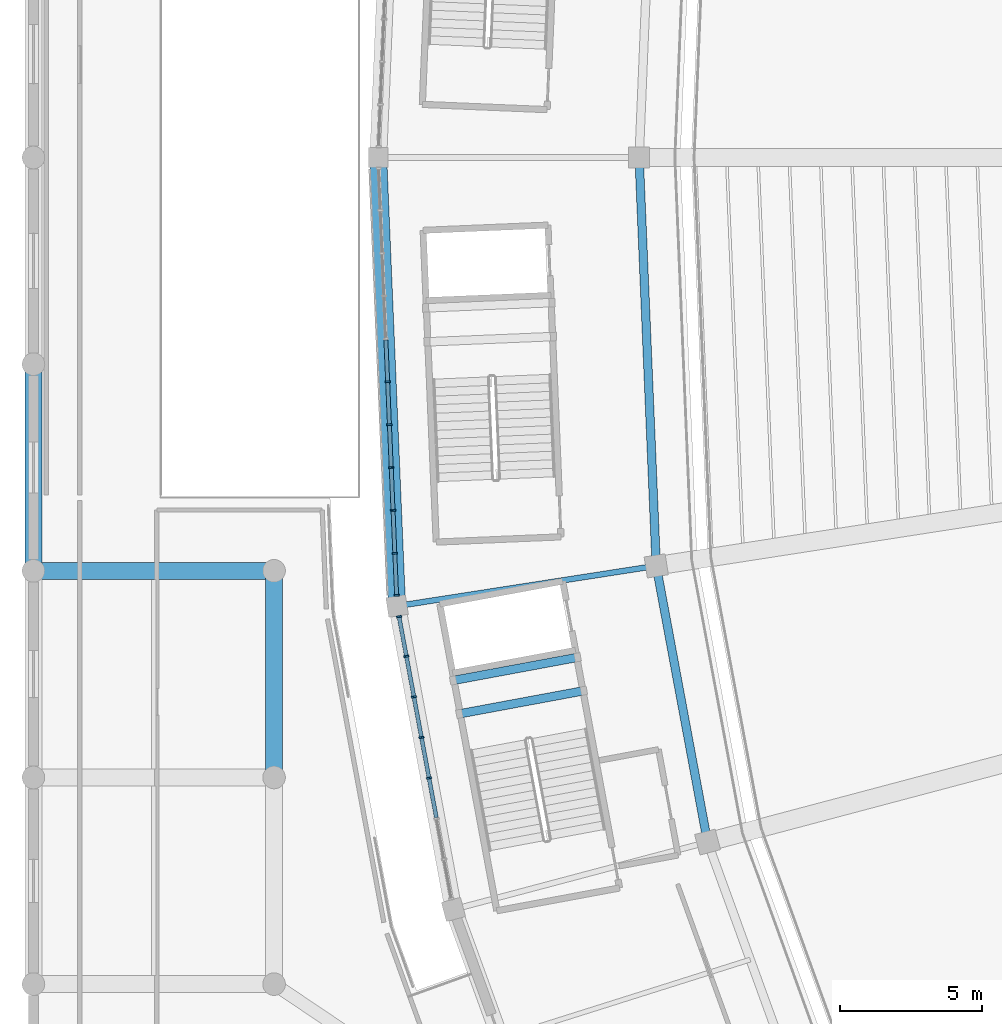
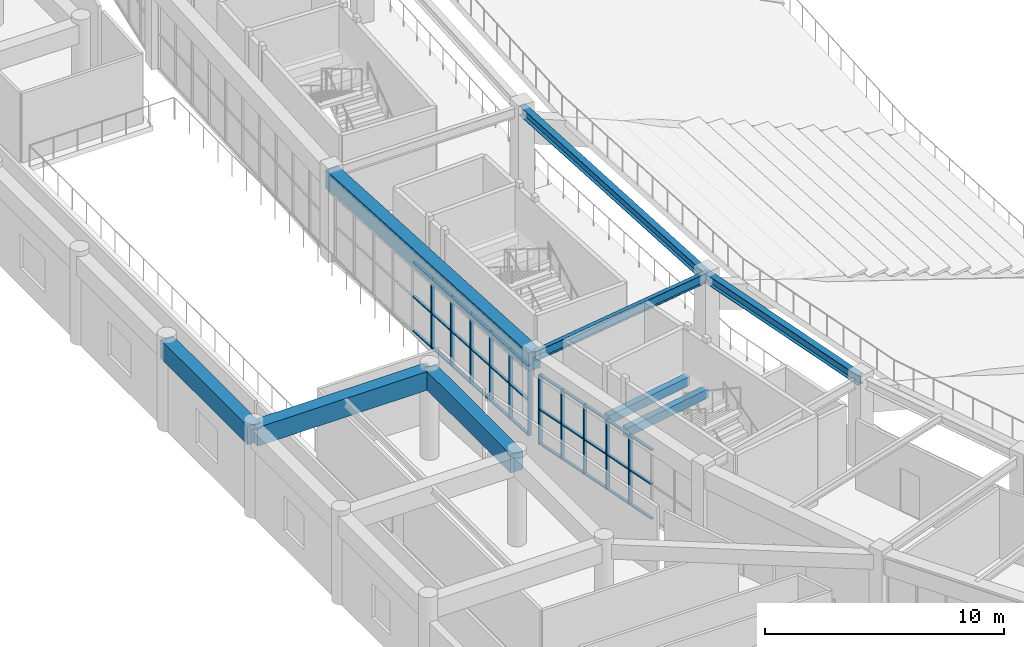
# One storey, part 24 of 137: 44 members, 9 beams, 2 elements without a shape of their own.
"""IFC4 building model written with IfcOpenShell, lengths in metres."""

from ifc_helpers import new_model, si_unit, direction, frame, origin, origin_2d, place, context, subcontext, project, spatial, rectangle, i_section, extrude, material, layer, layer_set, material_profile, profile_set, type_object, element, aggregate, save


model = new_model("IFC4")

# Units and contexts
model_context = context("Model", 3, precision=1e-05, world=origin(), true_north=direction((0.0, 1.0)))
body_context = subcontext(model_context, "Body", "Model", "MODEL_VIEW")
ifc_project = project(units=[si_unit("LENGTHUNIT", "METRE"), si_unit("AREAUNIT", "SQUARE_METRE"), si_unit("VOLUMEUNIT", "CUBIC_METRE"), si_unit("PLANEANGLEUNIT", "RADIAN"), si_unit("MASSUNIT", "GRAM", prefix="KILO")], contexts=[model_context])

# Site, building, storey
site_placement = place(None, origin())
site = spatial("IfcSite", under=ifc_project, at=site_placement, CompositionType="ELEMENT")
building_placement = place(site_placement, origin())
building = spatial("IfcBuilding", under=site, at=building_placement, Name="Mphavela Belvedere Stadium", CompositionType="ELEMENT")
storey_placement = place(building_placement, frame((0.0, 0.0, 19.199951171875)))
storey = spatial("IfcBuildingStorey", under=building, at=storey_placement, Name="L04", CompositionType="ELEMENT", Elevation=19.199951171875)

# Beams
ifc_material_1 = material(Name="Concrete C40/50", Category="concrete")
ifc_material_profile_1 = material_profile(ifc_material_1, rectangle(XDim=0.60009765625, YDim=0.949951171875, at=origin_2d()), Name="RC 600x950")
ifc_profile_set_1 = profile_set([ifc_material_profile_1], Name="Concrete C40/50")
beam_type_1 = type_object("IfcBeamType", Name="BM-ENTABLATURE-950", PredefinedType="SPANDREL", material=ifc_profile_set_1)
beam_1_placement = place(storey_placement, frame((12.179931640625, 87.0, 4.074951171875), z_axis=(0.041903963155, -0.999121643181, 0.0), x_axis=(0.999121643181, 0.041903963155, 0.0)))
element("IfcBeam", 1, at=beam_1_placement, inside=storey, type_object=beam_type_1, Name="Circumferential girder L04 R4-25", PredefinedType="SPANDREL", context=body_context, shape_type="SweptSolid", body=[
    extrude(rectangle(XDim=0.60009765625, YDim=0.949951171875, at=origin_2d()), origin(), (0.0, 0.0, 1.0), 15.85888671875),
])
beam_2_placement = place(storey_placement, frame((0.0, 72.39990234375, 4.06494140625), z_axis=(1.0, 0.0, 0.0), x_axis=(0.0, 1.0, 0.0)))
element("IfcBeam", 2, at=beam_2_placement, inside=storey, type_object=beam_type_1, Name="West Planted Eaves Peristyle Colonnade entablature beam X L04 1-4", PredefinedType="SPANDREL", context=body_context, shape_type="SweptSolid", body=[
    extrude(rectangle(XDim=0.60009765625, YDim=0.949951171875, at=origin_2d()), origin(), (0.0, 0.0, 1.0), 8.5),
])
beam_3_placement = place(storey_placement, frame((0.0, 72.39990234375, 4.06494140625), z_axis=(0.0, 1.0, 0.0), x_axis=(-1.0, 0.0, 0.0)))
element("IfcBeam", 3, at=beam_3_placement, inside=storey, type_object=beam_type_1, Name="West Planted Eaves Peristyle Colonnade entablature beam Y L04 1-4", PredefinedType="SPANDREL", context=body_context, shape_type="SweptSolid", body=[
    extrude(rectangle(XDim=0.60009765625, YDim=0.949951171875, at=origin_2d()), origin(), (0.0, 0.0, 1.0), 7.300048828125),
])
beam_4_placement = place(storey_placement, frame((8.5, 65.10009765625, 4.06494140625), z_axis=(0.0, 1.0, 0.0), x_axis=(-1.0, 0.0, 0.0)))
element("IfcBeam", 4, at=beam_4_placement, inside=storey, type_object=beam_type_1, Name="West Planted Eaves Peristyle Colonnade entablature beam Y L04 2-3", PredefinedType="SPANDREL", context=body_context, shape_type="SweptSolid", body=[
    extrude(rectangle(XDim=0.60009765625, YDim=0.949951171875, at=origin_2d()), origin(), (0.0, 0.0, 1.0), 7.2998046875),
])
ifc_material_2 = material(Name="Concrete C40/50", Category="concrete")
ifc_material_profile_2 = material_profile(ifc_material_2, rectangle(XDim=0.300048828125, YDim=0.449951171875, at=origin_2d()), Name="RC 300x450")
ifc_profile_set_2 = profile_set([ifc_material_profile_2], Name="Concrete C40/50")
beam_type_2 = type_object("IfcBeamType", Name="BM-RC300x450", PredefinedType="BEAM", material=ifc_profile_set_2)
beam_5_placement = place(storey_placement, frame((19.440673828125, 68.16357421875, 1.97509765625), z_axis=(-0.9831891563, -0.182589931088, 0.0), x_axis=(0.182589931088, -0.9831891563, 0.0)))
element("IfcBeam", 5, at=beam_5_placement, inside=storey, type_object=beam_type_2, Name="Core C09 landing trimmer beam L04-1", PredefinedType="BEAM", context=body_context, shape_type="SweptSolid", body=[
    extrude(rectangle(XDim=0.300048828125, YDim=0.449951171875, at=origin_2d()), origin(), (0.0, 0.0, 1.0), 4.469970703125),
])
beam_6_placement = place(storey_placement, frame((19.2216796875, 69.343505859375, 1.97509765625), z_axis=(-0.983190977087, -0.182580126453, 0.0), x_axis=(0.182580126453, -0.983190977087, 0.0)))
element("IfcBeam", 6, at=beam_6_placement, inside=storey, type_object=beam_type_2, Name="Core C09 landing trimmer beam L04-2", PredefinedType="BEAM", context=body_context, shape_type="SweptSolid", body=[
    extrude(rectangle(XDim=0.300048828125, YDim=0.449951171875, at=origin_2d()), origin(), (0.0, 0.0, 1.0), 4.47021484375),
])
ifc_material_3 = material(Name="Steel S355", Category="steel")
ifc_material_profile_3 = material_profile(ifc_material_3, i_section(OverallWidth=0.300048828125, OverallDepth=0.489990234375, WebThickness=0.011962890625, FlangeThickness=0.02294921875, at=origin_2d()), Name="HEA 500")
ifc_profile_set_3 = profile_set([ifc_material_profile_3], Name="Steel S355")
beam_type_3 = type_object("IfcBeamType", Name="BM-STEEL-HEA500", PredefinedType="BEAM", material=ifc_profile_set_3)
beam_7_placement = place(storey_placement, frame((21.39501953125, 87.0, 4.304931640625), z_axis=(0.041903450766, -0.99912166467, 0.0), x_axis=(0.99912166467, 0.041903450766, 0.0)))
element("IfcBeam", 7, at=beam_7_placement, inside=storey, type_object=beam_type_3, Name="Circumferential girder L04 R3-25", PredefinedType="BEAM", context=body_context, shape_type="SweptSolid", body=[
    extrude(i_section(OverallWidth=0.300048828125, OverallDepth=0.489990234375, WebThickness=0.011962890625, FlangeThickness=0.02294921875, at=origin_2d()), origin(), (0.0, 0.0, 1.0), 14.4375),
])
beam_8_placement = place(storey_placement, frame((22.0, 72.5751953125, 4.304931640625), z_axis=(0.182638056683, -0.983180217585, 0.0), x_axis=(0.983180217585, 0.182638056683, 0.0)))
element("IfcBeam", 8, at=beam_8_placement, inside=storey, type_object=beam_type_3, Name="Circumferential girder L04 R3-26", PredefinedType="BEAM", context=body_context, shape_type="SweptSolid", body=[
    extrude(i_section(OverallWidth=0.300048828125, OverallDepth=0.489990234375, WebThickness=0.011962890625, FlangeThickness=0.02294921875, at=origin_2d()), origin(), (0.0, 0.0, 1.0), 9.924072265625),
])
ifc_material_4 = material(Name="Steel S355", Category="steel")
ifc_material_profile_4 = material_profile(ifc_material_4, i_section(OverallWidth=0.199951171875, OverallDepth=0.5, WebThickness=0.01025390625, FlangeThickness=0.01611328125, at=origin_2d()), Name="IPE 500")
ifc_profile_set_4 = profile_set([ifc_material_profile_4], Name="Steel S355")
beam_type_4 = type_object("IfcBeamType", Name="BM-STEEL-IPE500", PredefinedType="BEAM", material=ifc_profile_set_4)
beam_9_placement = place(storey_placement, frame((22.0, 72.5751953125, 4.300048828125), z_axis=(-0.988182369303, -0.153282761586, 0.0), x_axis=(0.153282761586, -0.988182369303, 0.0)))
element("IfcBeam", 9, at=beam_9_placement, inside=storey, type_object=beam_type_4, Name="Radial concourse girder L04 R3R4-26", PredefinedType="BEAM", context=body_context, shape_type="SweptSolid", body=[
    extrude(i_section(OverallWidth=0.199951171875, OverallDepth=0.5, WebThickness=0.01025390625, FlangeThickness=0.01611328125, at=origin_2d()), origin(), (0.0, 0.0, 1.0), 9.264892578125),
])

# Curtain wall, members
ifc_material_5 = material(Name="Anodised bronze unitised curtain wall framing")
ifc_layer_1 = layer(ifc_material_5, 0.179931640625)
ifc_layer_set_1 = layer_set([ifc_layer_1], Name="Anodised bronze unitised curtain wall framing")
curtain_wall_type_1 = type_object("IfcCurtainWallType", Name="CW-UNIT-01", PredefinedType="USERDEFINED", material=ifc_layer_set_1)
curtain_wall_1_placement = place(storey_placement, origin())
curtain_wall_1 = element("IfcCurtainWall", 10, at=curtain_wall_1_placement, inside=storey, type_object=curtain_wall_type_1, Name="Belvedere colonnade curtain wall L04-25", ObjectType="UNITISED CURTAIN WALL", PredefinedType="USERDEFINED")
ifc_material_6 = material(Name="Anodised bronze extruded aluminium", Category="aluminium")
ifc_material_profile_5 = material_profile(ifc_material_6, rectangle(XDim=0.179931640625, YDim=0.06494140625, at=origin_2d()), Name="CW-MUL 180x65")
ifc_profile_set_5 = profile_set([ifc_material_profile_5], Name="Anodised bronze extruded aluminium")
member_type_1 = type_object("IfcMemberType", Name="CWM-180x65", PredefinedType="MULLION", material=ifc_profile_set_5)
member_1_placement = place(storey_placement, frame((12.51220703125, 79.077392578125, 0.0), z_axis=(0.0, 0.0, 1.0), x_axis=(0.999121605563, 0.041904860066, 0.0)))
member_1 = element("IfcMember", 11, at=member_1_placement, type_object=member_type_1, Name="CW-01 mullion 6", PredefinedType="MULLION", context=body_context, shape_type="SweptSolid", body=[
    extrude(rectangle(XDim=0.179931640625, YDim=0.06494140625, at=origin_2d()), origin(), (0.0, 0.0, 1.0), 3.570068359375),
])
member_2_placement = place(storey_placement, frame((12.575927734375, 77.5625, 0.0), z_axis=(0.0, 0.0, 1.0), x_axis=(0.999121605563, 0.041904860066, 0.0)))
member_2 = element("IfcMember", 12, at=member_2_placement, type_object=member_type_1, Name="CW-01 mullion 7", PredefinedType="MULLION", context=body_context, shape_type="SweptSolid", body=[
    extrude(rectangle(XDim=0.179931640625, YDim=0.06494140625, at=origin_2d()), origin(), (0.0, 0.0, 1.0), 3.570068359375),
])
member_3_placement = place(storey_placement, frame((12.639404296875, 76.047607421875, 0.0), z_axis=(0.0, 0.0, 1.0), x_axis=(0.999121605563, 0.041904860066, 0.0)))
member_3 = element("IfcMember", 13, at=member_3_placement, type_object=member_type_1, Name="CW-01 mullion 8", PredefinedType="MULLION", context=body_context, shape_type="SweptSolid", body=[
    extrude(rectangle(XDim=0.179931640625, YDim=0.06494140625, at=origin_2d()), origin(), (0.0, 0.0, 1.0), 3.570068359375),
])
member_4_placement = place(storey_placement, frame((12.702880859375, 74.53271484375, 0.0), z_axis=(0.0, 0.0, 1.0), x_axis=(0.999121605563, 0.041904860066, 0.0)))
member_4 = element("IfcMember", 14, at=member_4_placement, type_object=member_type_1, Name="CW-01 mullion 9", PredefinedType="MULLION", context=body_context, shape_type="SweptSolid", body=[
    extrude(rectangle(XDim=0.179931640625, YDim=0.06494140625, at=origin_2d()), origin(), (0.0, 0.0, 1.0), 3.570068359375),
])
member_5_placement = place(storey_placement, frame((12.766357421875, 73.017578125, 0.0), z_axis=(0.0, 0.0, 1.0), x_axis=(0.999121605563, 0.041904860066, 0.0)))
member_5 = element("IfcMember", 15, at=member_5_placement, type_object=member_type_1, Name="CW-01 mullion 10", PredefinedType="MULLION", context=body_context, shape_type="SweptSolid", body=[
    extrude(rectangle(XDim=0.179931640625, YDim=0.06494140625, at=origin_2d()), origin(), (0.0, 0.0, 1.0), 3.570068359375),
])
member_6_placement = place(storey_placement, frame((12.82861328125, 71.53515625, 0.0), z_axis=(0.0, 0.0, 1.0), x_axis=(0.999121605563, 0.041904860066, 0.0)))
member_6 = element("IfcMember", 16, at=member_6_placement, type_object=member_type_1, Name="CW-01 mullion 11", PredefinedType="MULLION", context=body_context, shape_type="SweptSolid", body=[
    extrude(rectangle(XDim=0.179931640625, YDim=0.06494140625, at=origin_2d()), origin(), (0.0, 0.0, 1.0), 3.570068359375),
])

ifc_material_7 = material(Name="Anodised bronze unitised curtain wall framing")
ifc_layer_2 = layer(ifc_material_7, 0.18505859375)
ifc_layer_set_2 = layer_set([ifc_layer_2], Name="Anodised bronze unitised curtain wall framing")
curtain_wall_type_2 = type_object("IfcCurtainWallType", Name="CW-UNIT-02", PredefinedType="USERDEFINED", material=ifc_layer_set_2)
curtain_wall_2_placement = place(storey_placement, origin())
curtain_wall_2 = element("IfcCurtainWall", 17, at=curtain_wall_2_placement, inside=storey, type_object=curtain_wall_type_2, Name="Belvedere colonnade curtain wall L04-26", ObjectType="UNITISED CURTAIN WALL", PredefinedType="USERDEFINED")
member_7_placement = place(storey_placement, frame((12.9140625, 70.781005859375, 0.0), z_axis=(0.0, 0.0, 1.0), x_axis=(0.98318393569, 0.182618040183, 0.0)))
member_7 = element("IfcMember", 18, at=member_7_placement, type_object=member_type_1, Name="CW-02 mullion 1", PredefinedType="MULLION", context=body_context, shape_type="SweptSolid", body=[
    extrude(rectangle(XDim=0.179931640625, YDim=0.06494140625, at=origin_2d()), origin(), (0.0, 0.0, 1.0), 3.570068359375),
])
member_8_placement = place(storey_placement, frame((13.17431640625, 69.379638671875, 0.0), z_axis=(0.0, 0.0, 1.0), x_axis=(0.98318393569, 0.182618040183, 0.0)))
member_8 = element("IfcMember", 19, at=member_8_placement, type_object=member_type_1, Name="CW-02 mullion 2", PredefinedType="MULLION", context=body_context, shape_type="SweptSolid", body=[
    extrude(rectangle(XDim=0.179931640625, YDim=0.06494140625, at=origin_2d()), origin(), (0.0, 0.0, 1.0), 3.570068359375),
])
member_9_placement = place(storey_placement, frame((13.440673828125, 67.9462890625, 0.0), z_axis=(0.0, 0.0, 1.0), x_axis=(0.98318393569, 0.182618040183, 0.0)))
member_9 = element("IfcMember", 20, at=member_9_placement, type_object=member_type_1, Name="CW-02 mullion 3", PredefinedType="MULLION", context=body_context, shape_type="SweptSolid", body=[
    extrude(rectangle(XDim=0.179931640625, YDim=0.06494140625, at=origin_2d()), origin(), (0.0, 0.0, 1.0), 3.570068359375),
])
member_10_placement = place(storey_placement, frame((13.706787109375, 66.512939453125, 0.0), z_axis=(0.0, 0.0, 1.0), x_axis=(0.98318393569, 0.182618040183, 0.0)))
member_10 = element("IfcMember", 21, at=member_10_placement, type_object=member_type_1, Name="CW-02 mullion 4", PredefinedType="MULLION", context=body_context, shape_type="SweptSolid", body=[
    extrude(rectangle(XDim=0.179931640625, YDim=0.06494140625, at=origin_2d()), origin(), (0.0, 0.0, 1.0), 3.570068359375),
])
member_11_placement = place(storey_placement, frame((13.97314453125, 65.07958984375, 0.0), z_axis=(0.0, 0.0, 1.0), x_axis=(0.98318393569, 0.182618040183, 0.0)))
member_11 = element("IfcMember", 22, at=member_11_placement, type_object=member_type_1, Name="CW-02 mullion 5", PredefinedType="MULLION", context=body_context, shape_type="SweptSolid", body=[
    extrude(rectangle(XDim=0.179931640625, YDim=0.06494140625, at=origin_2d()), origin(), (0.0, 0.0, 1.0), 3.570068359375),
])

# Member
ifc_material_8 = material(Name="Anodised bronze extruded aluminium", Category="aluminium")
ifc_material_profile_6 = material_profile(ifc_material_8, rectangle(XDim=0.139892578125, YDim=0.06005859375, at=origin_2d()), Name="CW-TRN 140x60")
ifc_profile_set_6 = profile_set([ifc_material_profile_6], Name="Anodised bronze extruded aluminium")
member_type_2 = type_object("IfcMemberType", Name="CWT-140x60", PredefinedType="USERDEFINED", material=ifc_profile_set_6)
member_12_placement = place(storey_placement, frame((12.4501953125, 80.56005859375, 0.030029296875), z_axis=(0.041882409795, -0.999122546913, 0.0), x_axis=(0.999122546913, 0.041882409795, 0.0)))
member_12 = element("IfcMember", 23, at=member_12_placement, type_object=member_type_2, Name="CW-01 transom 5.1", ObjectType="TRANSOM", PredefinedType="USERDEFINED", context=body_context, shape_type="SweptSolid", body=[
    extrude(rectangle(XDim=0.139892578125, YDim=0.06005859375, at=origin_2d()), origin(), (0.0, 0.0, 1.0), 1.451416015625),
])

member_13_placement = place(storey_placement, frame((12.4501953125, 80.56005859375, 1.78515625), z_axis=(0.041882409795, -0.999122546913, 0.0), x_axis=(0.999122546913, 0.041882409795, 0.0)))
member_13 = element("IfcMember", 24, at=member_13_placement, type_object=member_type_2, Name="CW-01 transom 5.2", ObjectType="TRANSOM", PredefinedType="USERDEFINED", context=body_context, shape_type="SweptSolid", body=[
    extrude(rectangle(XDim=0.139892578125, YDim=0.06005859375, at=origin_2d()), origin(), (0.0, 0.0, 1.0), 1.451416015625),
])

member_14_placement = place(storey_placement, frame((12.4501953125, 80.56005859375, 3.5400390625), z_axis=(0.041882409795, -0.999122546913, 0.0), x_axis=(0.999122546913, 0.041882409795, 0.0)))
member_14 = element("IfcMember", 25, at=member_14_placement, type_object=member_type_2, Name="CW-01 transom 5.3", ObjectType="TRANSOM", PredefinedType="USERDEFINED", context=body_context, shape_type="SweptSolid", body=[
    extrude(rectangle(XDim=0.139892578125, YDim=0.06005859375, at=origin_2d()), origin(), (0.0, 0.0, 1.0), 1.451416015625),
])

member_15_placement = place(storey_placement, frame((12.513671875, 79.044921875, 0.030029296875), z_axis=(0.041889449519, -0.999122251789, 0.0), x_axis=(0.999122251789, 0.041889449519, 0.0)))
member_15 = element("IfcMember", 26, at=member_15_placement, type_object=member_type_2, Name="CW-01 transom 6.1", ObjectType="TRANSOM", PredefinedType="USERDEFINED", context=body_context, shape_type="SweptSolid", body=[
    extrude(rectangle(XDim=0.139892578125, YDim=0.06005859375, at=origin_2d()), origin(), (0.0, 0.0, 1.0), 1.451171875),
])

member_16_placement = place(storey_placement, frame((12.513671875, 79.044921875, 1.78515625), z_axis=(0.041889449519, -0.999122251789, 0.0), x_axis=(0.999122251789, 0.041889449519, 0.0)))
member_16 = element("IfcMember", 27, at=member_16_placement, type_object=member_type_2, Name="CW-01 transom 6.2", ObjectType="TRANSOM", PredefinedType="USERDEFINED", context=body_context, shape_type="SweptSolid", body=[
    extrude(rectangle(XDim=0.139892578125, YDim=0.06005859375, at=origin_2d()), origin(), (0.0, 0.0, 1.0), 1.451171875),
])

member_17_placement = place(storey_placement, frame((12.513671875, 79.044921875, 3.5400390625), z_axis=(0.041889449519, -0.999122251789, 0.0), x_axis=(0.999122251789, 0.041889449519, 0.0)))
member_17 = element("IfcMember", 28, at=member_17_placement, type_object=member_type_2, Name="CW-01 transom 6.3", ObjectType="TRANSOM", PredefinedType="USERDEFINED", context=body_context, shape_type="SweptSolid", body=[
    extrude(rectangle(XDim=0.139892578125, YDim=0.06005859375, at=origin_2d()), origin(), (0.0, 0.0, 1.0), 1.451171875),
])

member_18_placement = place(storey_placement, frame((12.5771484375, 77.530029296875, 0.030029296875), z_axis=(0.041889449519, -0.999122251789, 0.0), x_axis=(0.999122251789, 0.041889449519, 0.0)))
member_18 = element("IfcMember", 29, at=member_18_placement, type_object=member_type_2, Name="CW-01 transom 7.1", ObjectType="TRANSOM", PredefinedType="USERDEFINED", context=body_context, shape_type="SweptSolid", body=[
    extrude(rectangle(XDim=0.139892578125, YDim=0.06005859375, at=origin_2d()), origin(), (0.0, 0.0, 1.0), 1.451171875),
])

member_19_placement = place(storey_placement, frame((12.5771484375, 77.530029296875, 1.78515625), z_axis=(0.041889449519, -0.999122251789, 0.0), x_axis=(0.999122251789, 0.041889449519, 0.0)))
member_19 = element("IfcMember", 30, at=member_19_placement, type_object=member_type_2, Name="CW-01 transom 7.2", ObjectType="TRANSOM", PredefinedType="USERDEFINED", context=body_context, shape_type="SweptSolid", body=[
    extrude(rectangle(XDim=0.139892578125, YDim=0.06005859375, at=origin_2d()), origin(), (0.0, 0.0, 1.0), 1.451171875),
])

member_20_placement = place(storey_placement, frame((12.5771484375, 77.530029296875, 3.5400390625), z_axis=(0.041889449519, -0.999122251789, 0.0), x_axis=(0.999122251789, 0.041889449519, 0.0)))
member_20 = element("IfcMember", 31, at=member_20_placement, type_object=member_type_2, Name="CW-01 transom 7.3", ObjectType="TRANSOM", PredefinedType="USERDEFINED", context=body_context, shape_type="SweptSolid", body=[
    extrude(rectangle(XDim=0.139892578125, YDim=0.06005859375, at=origin_2d()), origin(), (0.0, 0.0, 1.0), 1.451171875),
])

member_21_placement = place(storey_placement, frame((12.640625, 76.01513671875, 0.030029296875), z_axis=(0.042057383264, -0.999115196818, 0.0), x_axis=(0.999115196818, 0.042057383264, 0.0)))
member_21 = element("IfcMember", 32, at=member_21_placement, type_object=member_type_2, Name="CW-01 transom 8.1", ObjectType="TRANSOM", PredefinedType="USERDEFINED", context=body_context, shape_type="SweptSolid", body=[
    extrude(rectangle(XDim=0.139892578125, YDim=0.06005859375, at=origin_2d()), origin(), (0.0, 0.0, 1.0), 1.451171875),
])

member_22_placement = place(storey_placement, frame((12.640625, 76.01513671875, 1.78515625), z_axis=(0.042057383264, -0.999115196818, 0.0), x_axis=(0.999115196818, 0.042057383264, 0.0)))
member_22 = element("IfcMember", 33, at=member_22_placement, type_object=member_type_2, Name="CW-01 transom 8.2", ObjectType="TRANSOM", PredefinedType="USERDEFINED", context=body_context, shape_type="SweptSolid", body=[
    extrude(rectangle(XDim=0.139892578125, YDim=0.06005859375, at=origin_2d()), origin(), (0.0, 0.0, 1.0), 1.451171875),
])

member_23_placement = place(storey_placement, frame((12.640625, 76.01513671875, 3.5400390625), z_axis=(0.042057383264, -0.999115196818, 0.0), x_axis=(0.999115196818, 0.042057383264, 0.0)))
member_23 = element("IfcMember", 34, at=member_23_placement, type_object=member_type_2, Name="CW-01 transom 8.3", ObjectType="TRANSOM", PredefinedType="USERDEFINED", context=body_context, shape_type="SweptSolid", body=[
    extrude(rectangle(XDim=0.139892578125, YDim=0.06005859375, at=origin_2d()), origin(), (0.0, 0.0, 1.0), 1.451171875),
])

member_24_placement = place(storey_placement, frame((12.704345703125, 74.500244140625, 0.030029296875), z_axis=(0.041882409795, -0.999122546913, 0.0), x_axis=(0.999122546913, 0.041882409795, 0.0)))
member_24 = element("IfcMember", 35, at=member_24_placement, type_object=member_type_2, Name="CW-01 transom 9.1", ObjectType="TRANSOM", PredefinedType="USERDEFINED", context=body_context, shape_type="SweptSolid", body=[
    extrude(rectangle(XDim=0.139892578125, YDim=0.06005859375, at=origin_2d()), origin(), (0.0, 0.0, 1.0), 1.451416015625),
])

member_25_placement = place(storey_placement, frame((12.704345703125, 74.500244140625, 1.78515625), z_axis=(0.041882409795, -0.999122546913, 0.0), x_axis=(0.999122546913, 0.041882409795, 0.0)))
member_25 = element("IfcMember", 36, at=member_25_placement, type_object=member_type_2, Name="CW-01 transom 9.2", ObjectType="TRANSOM", PredefinedType="USERDEFINED", context=body_context, shape_type="SweptSolid", body=[
    extrude(rectangle(XDim=0.139892578125, YDim=0.06005859375, at=origin_2d()), origin(), (0.0, 0.0, 1.0), 1.451416015625),
])

member_26_placement = place(storey_placement, frame((12.704345703125, 74.500244140625, 3.5400390625), z_axis=(0.041882409795, -0.999122546913, 0.0), x_axis=(0.999122546913, 0.041882409795, 0.0)))
member_26 = element("IfcMember", 37, at=member_26_placement, type_object=member_type_2, Name="CW-01 transom 9.3", ObjectType="TRANSOM", PredefinedType="USERDEFINED", context=body_context, shape_type="SweptSolid", body=[
    extrude(rectangle(XDim=0.139892578125, YDim=0.06005859375, at=origin_2d()), origin(), (0.0, 0.0, 1.0), 1.451416015625),
])

member_27_placement = place(storey_placement, frame((12.767822265625, 72.985107421875, 0.030029296875), z_axis=(0.041988428468, -0.999118097061, 0.0), x_axis=(0.999118097061, 0.041988428468, 0.0)))
member_27 = element("IfcMember", 38, at=member_27_placement, type_object=member_type_2, Name="CW-01 transom 10.1", ObjectType="TRANSOM", PredefinedType="USERDEFINED", context=body_context, shape_type="SweptSolid", body=[
    extrude(rectangle(XDim=0.139892578125, YDim=0.06005859375, at=origin_2d()), origin(), (0.0, 0.0, 1.0), 1.418701171875),
])

member_28_placement = place(storey_placement, frame((12.767822265625, 72.985107421875, 1.78515625), z_axis=(0.041988428468, -0.999118097061, 0.0), x_axis=(0.999118097061, 0.041988428468, 0.0)))
member_28 = element("IfcMember", 39, at=member_28_placement, type_object=member_type_2, Name="CW-01 transom 10.2", ObjectType="TRANSOM", PredefinedType="USERDEFINED", context=body_context, shape_type="SweptSolid", body=[
    extrude(rectangle(XDim=0.139892578125, YDim=0.06005859375, at=origin_2d()), origin(), (0.0, 0.0, 1.0), 1.418701171875),
])

member_29_placement = place(storey_placement, frame((12.767822265625, 72.985107421875, 3.5400390625), z_axis=(0.041988428468, -0.999118097061, 0.0), x_axis=(0.999118097061, 0.041988428468, 0.0)))
member_29 = element("IfcMember", 40, at=member_29_placement, type_object=member_type_2, Name="CW-01 transom 10.3", ObjectType="TRANSOM", PredefinedType="USERDEFINED", context=body_context, shape_type="SweptSolid", body=[
    extrude(rectangle(XDim=0.139892578125, YDim=0.06005859375, at=origin_2d()), origin(), (0.0, 0.0, 1.0), 1.418701171875),
])

aggregate(curtain_wall_1, [member_1, member_2, member_3, member_4, member_5, member_6, member_12, member_13, member_14, member_15, member_16, member_17, member_18, member_19, member_20, member_21, member_22, member_23, member_24, member_25, member_26, member_27, member_28, member_29])

member_30_placement = place(storey_placement, frame((12.920166015625, 70.7490234375, 0.030029296875), z_axis=(0.182532708609, -0.983199781473, 0.0), x_axis=(0.983199781473, 0.182532708609, 0.0)))
member_30 = element("IfcMember", 41, at=member_30_placement, type_object=member_type_2, Name="CW-02 transom 1.1", ObjectType="TRANSOM", PredefinedType="USERDEFINED", context=body_context, shape_type="SweptSolid", body=[
    extrude(rectangle(XDim=0.139892578125, YDim=0.06005859375, at=origin_2d()), origin(), (0.0, 0.0, 1.0), 1.3603515625),
])

member_31_placement = place(storey_placement, frame((12.920166015625, 70.7490234375, 1.78515625), z_axis=(0.182532708609, -0.983199781473, 0.0), x_axis=(0.983199781473, 0.182532708609, 0.0)))
member_31 = element("IfcMember", 42, at=member_31_placement, type_object=member_type_2, Name="CW-02 transom 1.2", ObjectType="TRANSOM", PredefinedType="USERDEFINED", context=body_context, shape_type="SweptSolid", body=[
    extrude(rectangle(XDim=0.139892578125, YDim=0.06005859375, at=origin_2d()), origin(), (0.0, 0.0, 1.0), 1.3603515625),
])

member_32_placement = place(storey_placement, frame((12.920166015625, 70.7490234375, 3.5400390625), z_axis=(0.182532708609, -0.983199781473, 0.0), x_axis=(0.983199781473, 0.182532708609, 0.0)))
member_32 = element("IfcMember", 43, at=member_32_placement, type_object=member_type_2, Name="CW-02 transom 1.3", ObjectType="TRANSOM", PredefinedType="USERDEFINED", context=body_context, shape_type="SweptSolid", body=[
    extrude(rectangle(XDim=0.139892578125, YDim=0.06005859375, at=origin_2d()), origin(), (0.0, 0.0, 1.0), 1.3603515625),
])

member_33_placement = place(storey_placement, frame((13.180419921875, 69.34765625, 0.030029296875), z_axis=(0.1826478673, -0.98317839509, 0.0), x_axis=(0.98317839509, 0.1826478673, 0.0)))
member_33 = element("IfcMember", 44, at=member_33_placement, type_object=member_type_2, Name="CW-02 transom 2.1", ObjectType="TRANSOM", PredefinedType="USERDEFINED", context=body_context, shape_type="SweptSolid", body=[
    extrude(rectangle(XDim=0.139892578125, YDim=0.06005859375, at=origin_2d()), origin(), (0.0, 0.0, 1.0), 1.392822265625),
])

member_34_placement = place(storey_placement, frame((13.180419921875, 69.34765625, 1.78515625), z_axis=(0.1826478673, -0.98317839509, 0.0), x_axis=(0.98317839509, 0.1826478673, 0.0)))
member_34 = element("IfcMember", 45, at=member_34_placement, type_object=member_type_2, Name="CW-02 transom 2.2", ObjectType="TRANSOM", PredefinedType="USERDEFINED", context=body_context, shape_type="SweptSolid", body=[
    extrude(rectangle(XDim=0.139892578125, YDim=0.06005859375, at=origin_2d()), origin(), (0.0, 0.0, 1.0), 1.392822265625),
])

member_35_placement = place(storey_placement, frame((13.180419921875, 69.34765625, 3.5400390625), z_axis=(0.1826478673, -0.98317839509, 0.0), x_axis=(0.98317839509, 0.1826478673, 0.0)))
member_35 = element("IfcMember", 46, at=member_35_placement, type_object=member_type_2, Name="CW-02 transom 2.3", ObjectType="TRANSOM", PredefinedType="USERDEFINED", context=body_context, shape_type="SweptSolid", body=[
    extrude(rectangle(XDim=0.139892578125, YDim=0.06005859375, at=origin_2d()), origin(), (0.0, 0.0, 1.0), 1.392822265625),
])

member_36_placement = place(storey_placement, frame((13.446533203125, 67.914306640625, 0.030029296875), z_axis=(0.1826478673, -0.98317839509, 0.0), x_axis=(0.98317839509, 0.1826478673, 0.0)))
member_36 = element("IfcMember", 47, at=member_36_placement, type_object=member_type_2, Name="CW-02 transom 3.1", ObjectType="TRANSOM", PredefinedType="USERDEFINED", context=body_context, shape_type="SweptSolid", body=[
    extrude(rectangle(XDim=0.139892578125, YDim=0.06005859375, at=origin_2d()), origin(), (0.0, 0.0, 1.0), 1.392822265625),
])

member_37_placement = place(storey_placement, frame((13.446533203125, 67.914306640625, 1.78515625), z_axis=(0.1826478673, -0.98317839509, 0.0), x_axis=(0.98317839509, 0.1826478673, 0.0)))
member_37 = element("IfcMember", 48, at=member_37_placement, type_object=member_type_2, Name="CW-02 transom 3.2", ObjectType="TRANSOM", PredefinedType="USERDEFINED", context=body_context, shape_type="SweptSolid", body=[
    extrude(rectangle(XDim=0.139892578125, YDim=0.06005859375, at=origin_2d()), origin(), (0.0, 0.0, 1.0), 1.392822265625),
])

member_38_placement = place(storey_placement, frame((13.446533203125, 67.914306640625, 3.5400390625), z_axis=(0.1826478673, -0.98317839509, 0.0), x_axis=(0.98317839509, 0.1826478673, 0.0)))
member_38 = element("IfcMember", 49, at=member_38_placement, type_object=member_type_2, Name="CW-02 transom 3.3", ObjectType="TRANSOM", PredefinedType="USERDEFINED", context=body_context, shape_type="SweptSolid", body=[
    extrude(rectangle(XDim=0.139892578125, YDim=0.06005859375, at=origin_2d()), origin(), (0.0, 0.0, 1.0), 1.392822265625),
])

member_39_placement = place(storey_placement, frame((13.712890625, 66.48095703125, 0.030029296875), z_axis=(0.1826478673, -0.98317839509, 0.0), x_axis=(0.98317839509, 0.1826478673, 0.0)))
member_39 = element("IfcMember", 50, at=member_39_placement, type_object=member_type_2, Name="CW-02 transom 4.1", ObjectType="TRANSOM", PredefinedType="USERDEFINED", context=body_context, shape_type="SweptSolid", body=[
    extrude(rectangle(XDim=0.139892578125, YDim=0.06005859375, at=origin_2d()), origin(), (0.0, 0.0, 1.0), 1.392822265625),
])

member_40_placement = place(storey_placement, frame((13.712890625, 66.48095703125, 1.78515625), z_axis=(0.1826478673, -0.98317839509, 0.0), x_axis=(0.98317839509, 0.1826478673, 0.0)))
member_40 = element("IfcMember", 51, at=member_40_placement, type_object=member_type_2, Name="CW-02 transom 4.2", ObjectType="TRANSOM", PredefinedType="USERDEFINED", context=body_context, shape_type="SweptSolid", body=[
    extrude(rectangle(XDim=0.139892578125, YDim=0.06005859375, at=origin_2d()), origin(), (0.0, 0.0, 1.0), 1.392822265625),
])

member_41_placement = place(storey_placement, frame((13.712890625, 66.48095703125, 3.5400390625), z_axis=(0.1826478673, -0.98317839509, 0.0), x_axis=(0.98317839509, 0.1826478673, 0.0)))
member_41 = element("IfcMember", 52, at=member_41_placement, type_object=member_type_2, Name="CW-02 transom 4.3", ObjectType="TRANSOM", PredefinedType="USERDEFINED", context=body_context, shape_type="SweptSolid", body=[
    extrude(rectangle(XDim=0.139892578125, YDim=0.06005859375, at=origin_2d()), origin(), (0.0, 0.0, 1.0), 1.392822265625),
])

member_42_placement = place(storey_placement, frame((13.97900390625, 65.047607421875, 0.030029296875), z_axis=(0.1826478673, -0.98317839509, 0.0), x_axis=(0.98317839509, 0.1826478673, 0.0)))
member_42 = element("IfcMember", 53, at=member_42_placement, type_object=member_type_2, Name="CW-02 transom 5.1", ObjectType="TRANSOM", PredefinedType="USERDEFINED", context=body_context, shape_type="SweptSolid", body=[
    extrude(rectangle(XDim=0.139892578125, YDim=0.06005859375, at=origin_2d()), origin(), (0.0, 0.0, 1.0), 1.392822265625),
])

member_43_placement = place(storey_placement, frame((13.97900390625, 65.047607421875, 1.78515625), z_axis=(0.1826478673, -0.98317839509, 0.0), x_axis=(0.98317839509, 0.1826478673, 0.0)))
member_43 = element("IfcMember", 54, at=member_43_placement, type_object=member_type_2, Name="CW-02 transom 5.2", ObjectType="TRANSOM", PredefinedType="USERDEFINED", context=body_context, shape_type="SweptSolid", body=[
    extrude(rectangle(XDim=0.139892578125, YDim=0.06005859375, at=origin_2d()), origin(), (0.0, 0.0, 1.0), 1.392822265625),
])

member_44_placement = place(storey_placement, frame((13.97900390625, 65.047607421875, 3.5400390625), z_axis=(0.1826478673, -0.98317839509, 0.0), x_axis=(0.98317839509, 0.1826478673, 0.0)))
member_44 = element("IfcMember", 55, at=member_44_placement, type_object=member_type_2, Name="CW-02 transom 5.3", ObjectType="TRANSOM", PredefinedType="USERDEFINED", context=body_context, shape_type="SweptSolid", body=[
    extrude(rectangle(XDim=0.139892578125, YDim=0.06005859375, at=origin_2d()), origin(), (0.0, 0.0, 1.0), 1.392822265625),
])

aggregate(curtain_wall_2, [member_7, member_8, member_9, member_10, member_11, member_30, member_31, member_32, member_33, member_34, member_35, member_36, member_37, member_38, member_39, member_40, member_41, member_42, member_43, member_44])

save(model, "model.ifc")
